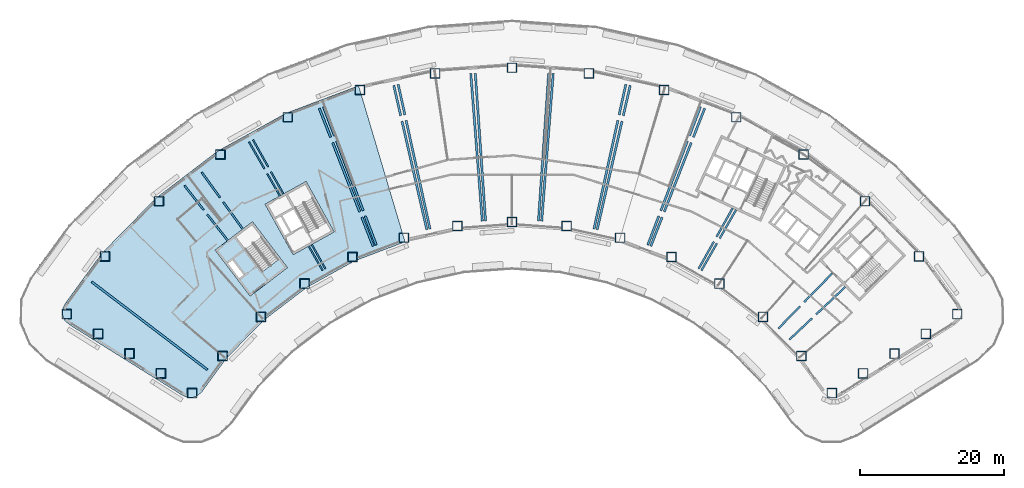
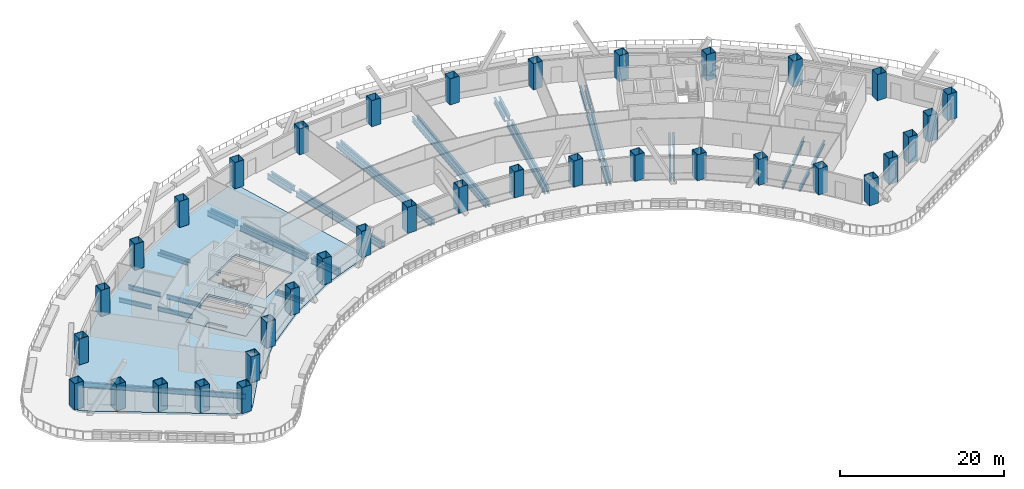
# One storey, part 1 of 12: 43 beams, 36 columns, 2 slabs.
"""IFC4 building model written with IfcOpenShell, lengths in metres."""

from ifc_helpers import new_model, si_unit, direction, frame, origin, origin_2d, place, context, subcontext, project, spatial, polyline, hollow_rectangle, i_section, outline, extrude, material, layer, layer_set, material_profile, profile_set, type_object, element, save


model = new_model("IFC4")

# Units and contexts
model_context = context("Model", 3, precision=1e-05, world=origin(), true_north=direction((0.0, 1.0)))
body_context = subcontext(model_context, "Body", "Model", "MODEL_VIEW")
ifc_project = project(units=[si_unit("LENGTHUNIT", "METRE"), si_unit("AREAUNIT", "SQUARE_METRE"), si_unit("VOLUMEUNIT", "CUBIC_METRE"), si_unit("PLANEANGLEUNIT", "RADIAN"), si_unit("MASSUNIT", "GRAM", prefix="KILO")], contexts=[model_context])

# Site, building, storey
site_placement = place(None, origin())
site = spatial("IfcSite", under=ifc_project, at=site_placement, CompositionType="ELEMENT")
building_placement = place(site_placement, origin())
building = spatial("IfcBuilding", under=site, at=building_placement, Name="Tuul Gate Civic Tower", CompositionType="ELEMENT")
storey_placement = place(building_placement, frame((0.0, 0.0, 31.5)))
storey = spatial("IfcBuildingStorey", under=building, at=storey_placement, Name="Level 06", CompositionType="ELEMENT", Elevation=31.5)

# Columns
ifc_material_1 = material(Name="Steel S355", Category="steel")
ifc_material_profile_1 = material_profile(ifc_material_1, hollow_rectangle(XDim=1.300048828125, YDim=1.300048828125, WallThickness=0.0400390625, at=origin_2d()), Name="BOX1300x1300x40")
ifc_profile_set_1 = profile_set([ifc_material_profile_1], Name="Steel S355")
column_type = type_object("IfcColumnType", Name="STR-COLUMN-BOX1300x1300x40", PredefinedType="COLUMN", material=ifc_profile_set_1)
for number, where, z_axis, x_axis, name in (
    (1, (61.6708984375, -20.22998046875, 0.0), (0.0, 0.0, 1.0), (1.0, 0.0, 0.0), "Column"),
    (2, (56.3720703125, -12.217041015625, 0.0), (0.0, 0.0, 1.0), (1.0, 0.0, 0.0), "Column"),
    (3, (48.89794921875, -4.592041015625, 0.0), (0.0, 0.0, 1.0), (1.0, 0.0, 0.0), "Column"),
    (4, (40.402099609375, 1.8759765625, 0.0), (0.0, 0.0, 1.0), (1.0, 0.0, 0.0), "Column"),
    (5, (31.06396484375, 7.052001953125, 0.0), (0.0, 0.0, 1.0), (1.0, 0.0, 0.0), "Column"),
    (6, (21.076904296875, 10.8291015625, 0.0), (0.0, 0.0, 1.0), (1.0, 0.0, 0.0), "Column"),
    (7, (10.64892578125, 13.126953125, 0.0), (0.0, 0.0, 1.0), (1.0, 0.0, 0.0), "Column"),
    (8, (0.0, 13.89794921875, 0.0), (0.0, 0.0, 1.0), (1.0, 0.0, 0.0), "Column"),
    (9, (-10.64892578125, 13.126953125, 0.0), (0.0, 0.0, 1.0), (1.0, 0.0, 0.0), "Column"),
    (10, (-21.076904296875, 10.8291015625, 0.0), (0.0, 0.0, 1.0), (1.0, 0.0, 0.0), "Column"),
    (11, (-31.06396484375, 7.052001953125, 0.0), (0.0, 0.0, 1.0), (1.0, 0.0, 0.0), "Column"),
    (12, (-40.402099609375, 1.8759765625, 0.0), (0.0, 0.0, 1.0), (1.0, 0.0, 0.0), "Column"),
    (13, (-48.89794921875, -4.592041015625, 0.0), (0.0, 0.0, 1.0), (1.0, 0.0, 0.0), "Column"),
    (14, (-56.3720703125, -12.217041015625, 0.0), (0.0, 0.0, 1.0), (1.0, 0.0, 0.0), "Column"),
    (15, (-61.6708984375, -20.22998046875, 0.0), (0.0, 0.0, 1.0), (1.0, 0.0, 0.0), "Column"),
    (16, (-57.327880859375, -22.964111328125, 0.0), (0.0, 0.0, 1.0), (1.0, 0.0, 0.0), "Column"),
    (17, (-52.986083984375, -25.698974609375, 0.0), (0.0, 0.0, 1.0), (1.0, 0.0, 0.0), "Column"),
    (18, (-48.64306640625, -28.43408203125, 0.0), (0.0, 0.0, 1.0), (1.0, 0.0, 0.0), "Column"),
    (19, (-44.301025390625, -31.16796875, 0.0), (0.0, 0.0, 1.0), (1.0, 0.0, 0.0), "Column"),
    (20, (-40.0810546875, -26.02587890625, 0.0), (0.0, 0.0, 1.0), (1.0, 0.0, 0.0), "Column"),
    (21, (-34.76708984375, -20.60498046875, 0.0), (0.0, 0.0, 1.0), (1.0, 0.0, 0.0), "Column"),
    (22, (-28.72705078125, -16.006103515625, 0.0), (0.0, 0.0, 1.0), (1.0, 0.0, 0.0), "Column"),
    (23, (-22.0869140625, -12.324951171875, 0.0), (0.0, 0.0, 1.0), (1.0, 0.0, 0.0), "Column"),
    (24, (-14.986083984375, -9.639892578125, 0.0), (0.0, 0.0, 1.0), (1.0, 0.0, 0.0), "Column"),
    (25, (-7.572021484375, -8.006103515625, 0.0), (0.0, 0.0, 1.0), (1.0, 0.0, 0.0), "Column"),
    (26, (0.0, -7.45703125, 0.0), (0.0, 0.0, 1.0), (1.0, 0.0, 0.0), "Column"),
    (27, (7.572021484375, -8.006103515625, 0.0), (0.0, 0.0, 1.0), (1.0, 0.0, 0.0), "Column"),
    (28, (14.986083984375, -9.639892578125, 0.0), (0.0, 0.0, 1.0), (1.0, 0.0, 0.0), "Column"),
    (29, (22.0869140625, -12.324951171875, 0.0), (0.0, 0.0, 1.0), (1.0, 0.0, 0.0), "Column"),
    (30, (28.72705078125, -16.006103515625, 0.0), (0.0, 0.0, 1.0), (1.0, 0.0, 0.0), "Column"),
    (31, (34.76708984375, -20.60498046875, 0.0), (0.0, 0.0, 1.0), (1.0, 0.0, 0.0), "Column"),
    (32, (40.0810546875, -26.02587890625, 0.0), (0.0, 0.0, 1.0), (1.0, 0.0, 0.0), "Column"),
    (33, (44.301025390625, -31.16796875, 0.0), (0.0, 0.0, 1.0), (1.0, 0.0, 0.0), "Column"),
    (34, (48.64306640625, -28.43408203125, 0.0), (0.0, 0.0, 1.0), (1.0, 0.0, 0.0), "Column"),
    (35, (52.986083984375, -25.698974609375, 0.0), (0.0, 0.0, 1.0), (1.0, 0.0, 0.0), "Column"),
    (36, (57.327880859375, -22.964111328125, 0.0), (0.0, 0.0, 1.0), (1.0, 0.0, 0.0), "Column"),
):
    element("IfcColumn", number, at=place(storey_placement, frame(where, z_axis=z_axis, x_axis=x_axis)), inside=storey, type_object=column_type, Name=name, PredefinedType="COLUMN", context=body_context, shape_type="SweptSolid", body=[
        extrude(hollow_rectangle(XDim=1.300048828125, YDim=1.300048828125, WallThickness=0.0400390625, at=origin_2d()), origin(), (0.0, 0.0, 1.0), 3.89990234375),
    ])

# Beams
ifc_material_2 = material(Name="Steel S355", Category="steel")
ifc_material_profile_2 = material_profile(ifc_material_2, i_section(OverallWidth=0.199951171875, OverallDepth=0.5, WebThickness=0.010009765625, FlangeThickness=0.01611328125, at=origin_2d()), Name="PG500x200x10x16")
ifc_profile_set_2 = profile_set([ifc_material_profile_2], Name="Steel S355")
beam_type_1 = type_object("IfcBeamType", Name="STR-FLOOR BEAM-PG500x200x10x16", PredefinedType="BEAM", material=ifc_profile_set_2)
beam_1_placement = place(storey_placement, frame((-25.845947265625, -13.951416015625, -0.550048828125), z_axis=(-0.489421422125, 0.872047402132, 0.0), x_axis=(-0.872047402132, -0.489421422125, 0.0)))
element("IfcBeam", 37, at=beam_1_placement, inside=storey, type_object=beam_type_1, Name="Floor beam", PredefinedType="BEAM", context=body_context, shape_type="SweptSolid", body=[
    extrude(i_section(OverallWidth=0.199951171875, OverallDepth=0.5, WebThickness=0.010009765625, FlangeThickness=0.01611328125, at=origin_2d()), origin(), (0.0, 0.0, 1.0), 3.87939453125),
])
beam_2_placement = place(storey_placement, frame((-31.66015625, -3.59228515625, -0.550048828125), z_axis=(-0.489470932754, 0.872019613305, 0.0), x_axis=(-0.872019613305, -0.489470932754, 0.0)))
element("IfcBeam", 38, at=beam_2_placement, inside=storey, type_object=beam_type_1, Name="Floor beam", PredefinedType="BEAM", context=body_context, shape_type="SweptSolid", body=[
    extrude(i_section(OverallWidth=0.199951171875, OverallDepth=0.5, WebThickness=0.010009765625, FlangeThickness=0.01611328125, at=origin_2d()), origin(), (0.0, 0.0, 1.0), 3.52099609375),
])
beam_3_placement = place(storey_placement, frame((-33.775146484375, 0.17578125, -0.550048828125), z_axis=(-0.489446892794, 0.872033106673, 0.0), x_axis=(-0.872033106673, -0.489446892794, 0.0)))
element("IfcBeam", 39, at=beam_3_placement, inside=storey, type_object=beam_type_1, Name="Floor beam", PredefinedType="BEAM", context=body_context, shape_type="SweptSolid", body=[
    extrude(i_section(OverallWidth=0.199951171875, OverallDepth=0.5, WebThickness=0.010009765625, FlangeThickness=0.01611328125, at=origin_2d()), origin(), (0.0, 0.0, 1.0), 4.2998046875),
])
beam_4_placement = place(storey_placement, frame((-26.23828125, -14.1689453125, -0.550048828125), z_axis=(-0.496870650114, 0.867824611921, 0.0), x_axis=(-0.867824611921, -0.496870650114, 0.0)))
element("IfcBeam", 40, at=beam_4_placement, inside=storey, type_object=beam_type_1, Name="Floor beam", PredefinedType="BEAM", context=body_context, shape_type="SweptSolid", body=[
    extrude(i_section(OverallWidth=0.199951171875, OverallDepth=0.5, WebThickness=0.010009765625, FlangeThickness=0.01611328125, at=origin_2d()), origin(), (0.0, 0.0, 1.0), 3.879638671875),
])
beam_5_placement = place(storey_placement, frame((-32.14111328125, -3.858642578125, -0.550048828125), z_axis=(-0.496818314595, 0.867854574386, 0.0), x_axis=(-0.867854574386, -0.496818314595, 0.0)))
element("IfcBeam", 41, at=beam_5_placement, inside=storey, type_object=beam_type_1, Name="Floor beam", PredefinedType="BEAM", context=body_context, shape_type="SweptSolid", body=[
    extrude(i_section(OverallWidth=0.199951171875, OverallDepth=0.5, WebThickness=0.010009765625, FlangeThickness=0.01611328125, at=origin_2d()), origin(), (0.0, 0.0, 1.0), 3.52099609375),
])
beam_6_placement = place(storey_placement, frame((-34.287841796875, -0.108642578125, -0.550048828125), z_axis=(-0.496872435894, 0.867823589475, 0.0), x_axis=(-0.867823589475, -0.496872435894, 0.0)))
element("IfcBeam", 42, at=beam_6_placement, inside=storey, type_object=beam_type_1, Name="Floor beam", PredefinedType="BEAM", context=body_context, shape_type="SweptSolid", body=[
    extrude(i_section(OverallWidth=0.199951171875, OverallDepth=0.5, WebThickness=0.010009765625, FlangeThickness=0.01611328125, at=origin_2d()), origin(), (0.0, 0.0, 1.0), 4.30029296875),
])
ifc_material_3 = material(Name="Steel S355", Category="steel")
ifc_material_profile_3 = material_profile(ifc_material_3, i_section(OverallWidth=0.25, OverallDepth=0.64990234375, WebThickness=0.011962890625, FlangeThickness=0.02001953125, at=origin_2d()), Name="PG650x250x12x20")
ifc_profile_set_3 = profile_set([ifc_material_profile_3], Name="Steel S355")
beam_type_2 = type_object("IfcBeamType", Name="STR-FLOOR BEAM-PG650x250x12x20", PredefinedType="BEAM", material=ifc_profile_set_3)
beam_7_placement = place(storey_placement, frame((38.421875, -23.76220703125, -0.625), z_axis=(0.727494685339, 0.686113316299, 0.0), x_axis=(-0.686113316299, 0.727494685339, 0.0)))
element("IfcBeam", 43, at=beam_7_placement, inside=storey, type_object=beam_type_2, Name="Floor beam", PredefinedType="BEAM", context=body_context, shape_type="SweptSolid", body=[
    extrude(i_section(OverallWidth=0.25, OverallDepth=0.64990234375, WebThickness=0.011962890625, FlangeThickness=0.02001953125, at=origin_2d()), origin(), (0.0, 0.0, 1.0), 4.301025390625),
])
beam_8_placement = place(storey_placement, frame((42.1328125, -20.262451171875, -0.625), z_axis=(0.727479728782, 0.686129174581, 0.0), x_axis=(-0.686129174581, 0.727479728782, 0.0)))
element("IfcBeam", 44, at=beam_8_placement, inside=storey, type_object=beam_type_2, Name="Floor beam", PredefinedType="BEAM", context=body_context, shape_type="SweptSolid", body=[
    extrude(i_section(OverallWidth=0.25, OverallDepth=0.64990234375, WebThickness=0.011962890625, FlangeThickness=0.02001953125, at=origin_2d()), origin(), (0.0, 0.0, 1.0), 5.555908203125),
])
beam_9_placement = place(storey_placement, frame((36.903076171875, -22.212646484375, -0.625), z_axis=(0.698713175789, 0.715401913597, 0.0), x_axis=(-0.715401913597, 0.698713175789, 0.0)))
element("IfcBeam", 45, at=beam_9_placement, inside=storey, type_object=beam_type_2, Name="Floor beam", PredefinedType="BEAM", context=body_context, shape_type="SweptSolid", body=[
    extrude(i_section(OverallWidth=0.25, OverallDepth=0.64990234375, WebThickness=0.011962890625, FlangeThickness=0.02001953125, at=origin_2d()), origin(), (0.0, 0.0, 1.0), 4.301025390625),
])
beam_10_placement = place(storey_placement, frame((40.46728515625, -18.563232421875, -0.625), z_axis=(0.698664213175, 0.715449730749, 0.0), x_axis=(-0.715449730749, 0.698664213175, 0.0)))
element("IfcBeam", 46, at=beam_10_placement, inside=storey, type_object=beam_type_2, Name="Floor beam", PredefinedType="BEAM", context=body_context, shape_type="SweptSolid", body=[
    extrude(i_section(OverallWidth=0.25, OverallDepth=0.64990234375, WebThickness=0.011962890625, FlangeThickness=0.02001953125, at=origin_2d()), origin(), (0.0, 0.0, 1.0), 5.55615234375),
])
beam_11_placement = place(storey_placement, frame((26.23828125, -14.1689453125, -0.625), z_axis=(0.496872435894, 0.867823589475, 0.0), x_axis=(-0.867823589475, 0.496872435894, 0.0)))
element("IfcBeam", 47, at=beam_11_placement, inside=storey, type_object=beam_type_2, Name="Floor beam", PredefinedType="BEAM", context=body_context, shape_type="SweptSolid", body=[
    extrude(i_section(OverallWidth=0.25, OverallDepth=0.64990234375, WebThickness=0.011962890625, FlangeThickness=0.02001953125, at=origin_2d()), origin(), (0.0, 0.0, 1.0), 4.30029296875),
])
beam_12_placement = place(storey_placement, frame((28.7724609375, -9.74267578125, -0.625), z_axis=(0.496836801277, 0.867843991105, 0.0), x_axis=(-0.867843991105, 0.496836801277, 0.0)))
element("IfcBeam", 48, at=beam_12_placement, inside=storey, type_object=beam_type_2, Name="Floor beam", PredefinedType="BEAM", context=body_context, shape_type="SweptSolid", body=[
    extrude(i_section(OverallWidth=0.25, OverallDepth=0.64990234375, WebThickness=0.011962890625, FlangeThickness=0.02001953125, at=origin_2d()), origin(), (0.0, 0.0, 1.0), 4.5576171875),
])
beam_13_placement = place(storey_placement, frame((25.845947265625, -13.951416015625, -0.625), z_axis=(0.489422659149, 0.872046707873, 0.0), x_axis=(-0.872046707873, 0.489422659149, 0.0)))
element("IfcBeam", 49, at=beam_13_placement, inside=storey, type_object=beam_type_2, Name="Floor beam", PredefinedType="BEAM", context=body_context, shape_type="SweptSolid", body=[
    extrude(i_section(OverallWidth=0.25, OverallDepth=0.64990234375, WebThickness=0.011962890625, FlangeThickness=0.02001953125, at=origin_2d()), origin(), (0.0, 0.0, 1.0), 4.300048828125),
])
beam_14_placement = place(storey_placement, frame((28.342041015625, -9.50390625, -0.625), z_axis=(0.489481436319, 0.872013717495, 0.0), x_axis=(-0.872013717495, 0.489481436319, 0.0)))
element("IfcBeam", 50, at=beam_14_placement, inside=storey, type_object=beam_type_2, Name="Floor beam", PredefinedType="BEAM", context=body_context, shape_type="SweptSolid", body=[
    extrude(i_section(OverallWidth=0.25, OverallDepth=0.64990234375, WebThickness=0.011962890625, FlangeThickness=0.02001953125, at=origin_2d()), origin(), (0.0, 0.0, 1.0), 4.519775390625),
])
beam_15_placement = place(storey_placement, frame((-37.289794921875, -8.447265625, -0.625), z_axis=(-0.586077532917, 0.810254975554, 0.0), x_axis=(-0.810254975554, -0.586077532917, 0.0)))
element("IfcBeam", 51, at=beam_15_placement, inside=storey, type_object=beam_type_2, Name="Floor beam", PredefinedType="BEAM", context=body_context, shape_type="SweptSolid", body=[
    extrude(i_section(OverallWidth=0.25, OverallDepth=0.64990234375, WebThickness=0.011962890625, FlangeThickness=0.02001953125, at=origin_2d()), origin(), (0.0, 0.0, 1.0), 4.60009765625),
])
beam_16_placement = place(storey_placement, frame((-40.454833984375, -4.071533203125, -0.625), z_axis=(-0.586070635586, 0.81025996452, 0.0), x_axis=(-0.81025996452, -0.586070635586, 0.0)))
element("IfcBeam", 52, at=beam_16_placement, inside=storey, type_object=beam_type_2, Name="Floor beam", PredefinedType="BEAM", context=body_context, shape_type="SweptSolid", body=[
    extrude(i_section(OverallWidth=0.25, OverallDepth=0.64990234375, WebThickness=0.011962890625, FlangeThickness=0.02001953125, at=origin_2d()), origin(), (0.0, 0.0, 1.0), 4.301513671875),
])
beam_17_placement = place(storey_placement, frame((-39.369384765625, -10.030517578125, -0.625), z_axis=(-0.618871234154, 0.785492454156, 0.0), x_axis=(-0.785492454156, -0.618871234154, 0.0)))
element("IfcBeam", 53, at=beam_17_placement, inside=storey, type_object=beam_type_2, Name="Floor beam", PredefinedType="BEAM", context=body_context, shape_type="SweptSolid", body=[
    extrude(i_section(OverallWidth=0.25, OverallDepth=0.64990234375, WebThickness=0.011962890625, FlangeThickness=0.02001953125, at=origin_2d()), origin(), (0.0, 0.0, 1.0), 4.599365234375),
])
beam_18_placement = place(storey_placement, frame((-42.7109375, -5.789306640625, -0.625), z_axis=(-0.61884887722, 0.785510068149, 0.0), x_axis=(-0.785510068149, -0.61884887722, 0.0)))
element("IfcBeam", 54, at=beam_18_placement, inside=storey, type_object=beam_type_2, Name="Floor beam", PredefinedType="BEAM", context=body_context, shape_type="SweptSolid", body=[
    extrude(i_section(OverallWidth=0.25, OverallDepth=0.64990234375, WebThickness=0.011962890625, FlangeThickness=0.02001953125, at=origin_2d()), origin(), (0.0, 0.0, 1.0), 4.301025390625),
])
ifc_material_4 = material(Name="Steel S355", Category="steel")
ifc_material_profile_4 = material_profile(ifc_material_4, i_section(OverallWidth=0.300048828125, OverallDepth=0.800048828125, WebThickness=0.013916015625, FlangeThickness=0.02490234375, at=origin_2d()), Name="PG800x300x14x25")
ifc_profile_set_4 = profile_set([ifc_material_profile_4], Name="Steel S355")
beam_type_3 = type_object("IfcBeamType", Name="STR-FLOOR BEAM-PG800x300x14x25", PredefinedType="BEAM", material=ifc_profile_set_4)
beam_19_placement = place(storey_placement, frame((19.224853515625, -10.815185546875, -0.699951171875), z_axis=(0.364018298139, 0.931391796517, 0.0), x_axis=(-0.931391796517, 0.364018298139, 0.0)))
element("IfcBeam", 55, at=beam_19_placement, inside=storey, type_object=beam_type_3, Name="Floor beam", PredefinedType="BEAM", context=body_context, shape_type="SweptSolid", body=[
    extrude(i_section(OverallWidth=0.300048828125, OverallDepth=0.800048828125, WebThickness=0.013916015625, FlangeThickness=0.02490234375, at=origin_2d()), origin(), (0.0, 0.0, 1.0), 4.30029296875),
])
beam_20_placement = place(storey_placement, frame((21.08154296875, -6.064697265625, -0.699951171875), z_axis=(0.36405615615, 0.931376999485, 0.0), x_axis=(-0.931376999485, 0.36405615615, 0.0)))
element("IfcBeam", 56, at=beam_20_placement, inside=storey, type_object=beam_type_3, Name="Floor beam", PredefinedType="BEAM", context=body_context, shape_type="SweptSolid", body=[
    extrude(i_section(OverallWidth=0.300048828125, OverallDepth=0.800048828125, WebThickness=0.013916015625, FlangeThickness=0.02490234375, at=origin_2d()), origin(), (0.0, 0.0, 1.0), 10.300537109375),
])
for number, where, z_axis, x_axis, name in (
    (57, (25.122802734375, 4.274169921875, -0.699951171875), (0.364037547066, 0.931384273179, 0.0), (-0.931384273179, 0.364037547066, 0.0), "Floor beam"),
    (58, (18.80517578125, -10.656494140625, -0.699951171875), (0.356089762592, 0.934451754226, 0.0), (-0.934451754226, 0.356089762592, 0.0), "Floor beam"),
):
    element("IfcBeam", number, at=place(storey_placement, frame(where, z_axis=z_axis, x_axis=x_axis)), inside=storey, type_object=beam_type_3, Name=name, PredefinedType="BEAM", context=body_context, shape_type="SweptSolid", body=[
        extrude(i_section(OverallWidth=0.300048828125, OverallDepth=0.800048828125, WebThickness=0.013916015625, FlangeThickness=0.02490234375, at=origin_2d()), origin(), (0.0, 0.0, 1.0), 4.30029296875),
    ])
beam_21_placement = place(storey_placement, frame((20.621337890625, -5.890625, -0.699951171875), z_axis=(0.356113604969, 0.934442668309, 0.0), x_axis=(-0.934442668309, 0.356113604969, 0.0)))
element("IfcBeam", 59, at=beam_21_placement, inside=storey, type_object=beam_type_3, Name="Floor beam", PredefinedType="BEAM", context=body_context, shape_type="SweptSolid", body=[
    extrude(i_section(OverallWidth=0.300048828125, OverallDepth=0.800048828125, WebThickness=0.013916015625, FlangeThickness=0.02490234375, at=origin_2d()), origin(), (0.0, 0.0, 1.0), 10.300048828125),
])
beam_22_placement = place(storey_placement, frame((24.57421875, 4.4814453125, -0.699951171875), z_axis=(0.356108655168, 0.93444455465, 0.0), x_axis=(-0.93444455465, 0.356108655168, 0.0)))
element("IfcBeam", 60, at=beam_22_placement, inside=storey, type_object=beam_type_3, Name="Floor beam", PredefinedType="BEAM", context=body_context, shape_type="SweptSolid", body=[
    extrude(i_section(OverallWidth=0.300048828125, OverallDepth=0.800048828125, WebThickness=0.013916015625, FlangeThickness=0.02490234375, at=origin_2d()), origin(), (0.0, 0.0, 1.0), 4.300048828125),
])
beam_23_placement = place(storey_placement, frame((11.795166015625, -8.527099609375, -0.699951171875), z_axis=(0.223364546254, 0.974734979098, 0.0), x_axis=(-0.974734979098, 0.223364546254, 0.0)))
element("IfcBeam", 61, at=beam_23_placement, inside=storey, type_object=beam_type_3, Name="Floor beam", PredefinedType="BEAM", context=body_context, shape_type="SweptSolid", body=[
    extrude(i_section(OverallWidth=0.300048828125, OverallDepth=0.800048828125, WebThickness=0.013916015625, FlangeThickness=0.02490234375, at=origin_2d()), origin(), (0.0, 0.0, 1.0), 15.400634765625),
])
beam_24_placement = place(storey_placement, frame((15.413818359375, 7.26416015625, -0.699951171875), z_axis=(0.223399754891, 0.974726910224, 0.0), x_axis=(-0.974726910224, 0.223399754891, 0.0)))
element("IfcBeam", 62, at=beam_24_placement, inside=storey, type_object=beam_type_3, Name="Floor beam", PredefinedType="BEAM", context=body_context, shape_type="SweptSolid", body=[
    extrude(i_section(OverallWidth=0.300048828125, OverallDepth=0.800048828125, WebThickness=0.013916015625, FlangeThickness=0.02490234375, at=origin_2d()), origin(), (0.0, 0.0, 1.0), 4.30029296875),
])
beam_25_placement = place(storey_placement, frame((11.35693359375, -8.4306640625, -0.699951171875), z_axis=(0.215078615456, 0.976596738257, 0.0), x_axis=(-0.976596738257, 0.215078615456, 0.0)))
element("IfcBeam", 63, at=beam_25_placement, inside=storey, type_object=beam_type_3, Name="Floor beam", PredefinedType="BEAM", context=body_context, shape_type="SweptSolid", body=[
    extrude(i_section(OverallWidth=0.300048828125, OverallDepth=0.800048828125, WebThickness=0.013916015625, FlangeThickness=0.02490234375, at=origin_2d()), origin(), (0.0, 0.0, 1.0), 15.400146484375),
])
beam_26_placement = place(storey_placement, frame((14.84130859375, 7.390380859375, -0.699951171875), z_axis=(0.215066482531, 0.976599410246, 0.0), x_axis=(-0.976599410246, 0.215066482531, 0.0)))
element("IfcBeam", 64, at=beam_26_placement, inside=storey, type_object=beam_type_3, Name="Floor beam", PredefinedType="BEAM", context=body_context, shape_type="SweptSolid", body=[
    extrude(i_section(OverallWidth=0.300048828125, OverallDepth=0.800048828125, WebThickness=0.013916015625, FlangeThickness=0.02490234375, at=origin_2d()), origin(), (0.0, 0.0, 1.0), 4.300048828125),
])
beam_27_placement = place(storey_placement, frame((4.110595703125, -7.35400390625, -0.699951171875), z_axis=(0.077839394093, 0.996965911517, 0.0), x_axis=(-0.996965911517, 0.077839394093, 0.0)))
element("IfcBeam", 65, at=beam_27_placement, inside=storey, type_object=beam_type_3, Name="Floor beam", PredefinedType="BEAM", context=body_context, shape_type="SweptSolid", body=[
    extrude(i_section(OverallWidth=0.300048828125, OverallDepth=0.800048828125, WebThickness=0.013916015625, FlangeThickness=0.02490234375, at=origin_2d()), origin(), (0.0, 0.0, 1.0), 20.5),
])
for number, where, z_axis, x_axis, name in (
    (66, (3.6630859375, -7.321533203125, -0.699951171875), (0.069360399585, 0.997591667452, 0.0), (-0.997591667452, 0.069360399585, 0.0), "Floor beam"),
    (67, (-3.6630859375, -7.321533203125, -0.699951171875), (-0.069360399585, 0.997591667452, 0.0), (-0.997591667452, -0.069360399585, 0.0), "Floor beam"),
):
    element("IfcBeam", number, at=place(storey_placement, frame(where, z_axis=z_axis, x_axis=x_axis)), inside=storey, type_object=beam_type_3, Name=name, PredefinedType="BEAM", context=body_context, shape_type="SweptSolid", body=[
        extrude(i_section(OverallWidth=0.300048828125, OverallDepth=0.800048828125, WebThickness=0.013916015625, FlangeThickness=0.02490234375, at=origin_2d()), origin(), (0.0, 0.0, 1.0), 20.499755859375),
    ])
beam_28_placement = place(storey_placement, frame((-4.110595703125, -7.35400390625, -0.699951171875), z_axis=(-0.077839394093, 0.996965911517, 0.0), x_axis=(-0.996965911517, -0.077839394093, 0.0)))
element("IfcBeam", 68, at=beam_28_placement, inside=storey, type_object=beam_type_3, Name="Floor beam", PredefinedType="BEAM", context=body_context, shape_type="SweptSolid", body=[
    extrude(i_section(OverallWidth=0.300048828125, OverallDepth=0.800048828125, WebThickness=0.013916015625, FlangeThickness=0.02490234375, at=origin_2d()), origin(), (0.0, 0.0, 1.0), 20.5),
])
beam_29_placement = place(storey_placement, frame((-11.35693359375, -8.4306640625, -0.699951171875), z_axis=(-0.215078615456, 0.976596738257, 0.0), x_axis=(-0.976596738257, -0.215078615456, 0.0)))
element("IfcBeam", 69, at=beam_29_placement, inside=storey, type_object=beam_type_3, Name="Floor beam", PredefinedType="BEAM", context=body_context, shape_type="SweptSolid", body=[
    extrude(i_section(OverallWidth=0.300048828125, OverallDepth=0.800048828125, WebThickness=0.013916015625, FlangeThickness=0.02490234375, at=origin_2d()), origin(), (0.0, 0.0, 1.0), 15.400146484375),
])
beam_30_placement = place(storey_placement, frame((-14.84130859375, 7.390380859375, -0.699951171875), z_axis=(-0.215066482531, 0.976599410246, 0.0), x_axis=(-0.976599410246, -0.215066482531, 0.0)))
element("IfcBeam", 70, at=beam_30_placement, inside=storey, type_object=beam_type_3, Name="Floor beam", PredefinedType="BEAM", context=body_context, shape_type="SweptSolid", body=[
    extrude(i_section(OverallWidth=0.300048828125, OverallDepth=0.800048828125, WebThickness=0.013916015625, FlangeThickness=0.02490234375, at=origin_2d()), origin(), (0.0, 0.0, 1.0), 4.300048828125),
])
beam_31_placement = place(storey_placement, frame((-11.795166015625, -8.527099609375, -0.699951171875), z_axis=(-0.223364546254, 0.974734979098, 0.0), x_axis=(-0.974734979098, -0.223364546254, 0.0)))
element("IfcBeam", 71, at=beam_31_placement, inside=storey, type_object=beam_type_3, Name="Floor beam", PredefinedType="BEAM", context=body_context, shape_type="SweptSolid", body=[
    extrude(i_section(OverallWidth=0.300048828125, OverallDepth=0.800048828125, WebThickness=0.013916015625, FlangeThickness=0.02490234375, at=origin_2d()), origin(), (0.0, 0.0, 1.0), 15.400634765625),
])
for number, where, z_axis, x_axis, name in (
    (72, (-15.413818359375, 7.26416015625, -0.699951171875), (-0.223399754891, 0.974726910224, 0.0), (-0.974726910224, -0.223399754891, 0.0), "Floor beam"),
    (73, (-18.80517578125, -10.656494140625, -0.699951171875), (-0.356089762592, 0.934451754226, 0.0), (-0.934451754226, -0.356089762592, 0.0), "Floor beam"),
):
    element("IfcBeam", number, at=place(storey_placement, frame(where, z_axis=z_axis, x_axis=x_axis)), inside=storey, type_object=beam_type_3, Name=name, PredefinedType="BEAM", context=body_context, shape_type="SweptSolid", body=[
        extrude(i_section(OverallWidth=0.300048828125, OverallDepth=0.800048828125, WebThickness=0.013916015625, FlangeThickness=0.02490234375, at=origin_2d()), origin(), (0.0, 0.0, 1.0), 4.30029296875),
    ])
beam_32_placement = place(storey_placement, frame((-20.621337890625, -5.890625, -0.699951171875), z_axis=(-0.356113604969, 0.934442668309, 0.0), x_axis=(-0.934442668309, -0.356113604969, 0.0)))
element("IfcBeam", 74, at=beam_32_placement, inside=storey, type_object=beam_type_3, Name="Floor beam", PredefinedType="BEAM", context=body_context, shape_type="SweptSolid", body=[
    extrude(i_section(OverallWidth=0.300048828125, OverallDepth=0.800048828125, WebThickness=0.013916015625, FlangeThickness=0.02490234375, at=origin_2d()), origin(), (0.0, 0.0, 1.0), 10.300048828125),
])
beam_33_placement = place(storey_placement, frame((-24.57421875, 4.4814453125, -0.699951171875), z_axis=(-0.356108655168, 0.93444455465, 0.0), x_axis=(-0.93444455465, -0.356108655168, 0.0)))
element("IfcBeam", 75, at=beam_33_placement, inside=storey, type_object=beam_type_3, Name="Floor beam", PredefinedType="BEAM", context=body_context, shape_type="SweptSolid", body=[
    extrude(i_section(OverallWidth=0.300048828125, OverallDepth=0.800048828125, WebThickness=0.013916015625, FlangeThickness=0.02490234375, at=origin_2d()), origin(), (0.0, 0.0, 1.0), 4.300048828125),
])
beam_34_placement = place(storey_placement, frame((-19.224853515625, -10.815185546875, -0.699951171875), z_axis=(-0.364018298139, 0.931391796517, 0.0), x_axis=(-0.931391796517, -0.364018298139, 0.0)))
element("IfcBeam", 76, at=beam_34_placement, inside=storey, type_object=beam_type_3, Name="Floor beam", PredefinedType="BEAM", context=body_context, shape_type="SweptSolid", body=[
    extrude(i_section(OverallWidth=0.300048828125, OverallDepth=0.800048828125, WebThickness=0.013916015625, FlangeThickness=0.02490234375, at=origin_2d()), origin(), (0.0, 0.0, 1.0), 4.30029296875),
])
beam_35_placement = place(storey_placement, frame((-21.08154296875, -6.064697265625, -0.699951171875), z_axis=(-0.36405615615, 0.931376999485, 0.0), x_axis=(-0.931376999485, -0.36405615615, 0.0)))
element("IfcBeam", 77, at=beam_35_placement, inside=storey, type_object=beam_type_3, Name="Floor beam", PredefinedType="BEAM", context=body_context, shape_type="SweptSolid", body=[
    extrude(i_section(OverallWidth=0.300048828125, OverallDepth=0.800048828125, WebThickness=0.013916015625, FlangeThickness=0.02490234375, at=origin_2d()), origin(), (0.0, 0.0, 1.0), 10.300537109375),
])
beam_36_placement = place(storey_placement, frame((-25.122802734375, 4.274169921875, -0.699951171875), z_axis=(-0.364037547066, 0.931384273179, 0.0), x_axis=(-0.931384273179, -0.364037547066, 0.0)))
element("IfcBeam", 78, at=beam_36_placement, inside=storey, type_object=beam_type_3, Name="Floor beam", PredefinedType="BEAM", context=body_context, shape_type="SweptSolid", body=[
    extrude(i_section(OverallWidth=0.300048828125, OverallDepth=0.800048828125, WebThickness=0.013916015625, FlangeThickness=0.02490234375, at=origin_2d()), origin(), (0.0, 0.0, 1.0), 4.30029296875),
])
beam_37_placement = place(storey_placement, frame((-42.17431640625, -27.946044921875, -0.699951171875), z_axis=(-0.796151927183, 0.605096776427, 0.0), x_axis=(-0.605096776427, -0.796151927183, 0.0)))
element("IfcBeam", 79, at=beam_37_placement, inside=storey, type_object=beam_type_3, Name="Floor beam", PredefinedType="BEAM", context=body_context, shape_type="SweptSolid", body=[
    extrude(i_section(OverallWidth=0.300048828125, OverallDepth=0.800048828125, WebThickness=0.013916015625, FlangeThickness=0.02490234375, at=origin_2d()), origin(), (0.0, 0.0, 1.0), 20.161865234375),
])

# Slabs
ifc_material_5 = material(Name="Concrete C40/50", Category="concrete")
ifc_layer_1 = layer(ifc_material_5, 0.300048828125)
ifc_layer_set_1 = layer_set([ifc_layer_1], Name="Concrete C40/50")
slab_type_1 = type_object("IfcSlabType", Name="Core floor slab 300", PredefinedType="FLOOR", material=ifc_layer_set_1)
slab_1_placement = place(storey_placement, frame((0.0, 0.0, -0.300048828125)))
element("IfcSlab", 80, at=slab_1_placement, inside=storey, type_object=slab_type_1, Name="FLOOR SLAB", PredefinedType="FLOOR", context=body_context, shape_type="SweptSolid", body=[
    extrude(outline(polyline([(-31.10009765625, -13.7890625), (-35.946044921875, -7.423828125), (-41.11767578125, -11.361572265625), (-36.271484375, -17.726806640625), (-31.10009765625, -13.7890625)]), holes=[polyline([(-37.19287109375, -14.783203125), (-38.737548828125, -12.75439453125), (-39.45361328125, -13.299560546875), (-37.908935546875, -15.328369140625), (-37.19287109375, -14.783203125)]), polyline([(-32.33935546875, -12.65771484375), (-34.56591796875, -14.352783203125), (-38.229736328125, -9.54052734375), (-36.003173828125, -7.845458984375), (-32.33935546875, -12.65771484375)])]), origin(), (0.0, 0.0, 1.0), 0.300048828125),
])
ifc_material_6 = material(Name="Concrete C35/45", Category="concrete")
ifc_layer_2 = layer(ifc_material_6, 0.300048828125)
ifc_layer_set_2 = layer_set([ifc_layer_2], Name="Concrete C35/45")
slab_type_2 = type_object("IfcSlabType", Name="STR-FLOOR-SLAB-300", PredefinedType="FLOOR", material=ifc_layer_set_2)
slab_2_placement = place(storey_placement, frame((0.0, 0.0, -0.300048828125)))
element("IfcSlab", 81, at=slab_2_placement, inside=storey, type_object=slab_type_2, Name="Level 06/slab/W", PredefinedType="FLOOR", context=body_context, shape_type="SweptSolid", body=[
    extrude(outline(polyline([(-21.833984375, -12.87109375), (-14.81396484375, -10.216064453125), (-21.248046875, 11.406005859375), (-31.31689453125, 7.597900390625), (-40.73095703125, 2.3798828125), (-49.2958984375, -4.14111328125), (-56.8310546875, -11.827880859375), (-61.910888671875, -18.784912109375), (-62.248046875, -19.528076171875), (-62.260009765625, -20.343017578125), (-61.945068359375, -21.095947265625), (-61.35595703125, -21.659912109375), (-45.6259765625, -31.489990234375), (-44.931884765625, -31.760009765625), (-44.18701171875, -31.757080078125), (-43.4951171875, -31.48193359375), (-42.950927734375, -30.972900390625), (-39.6220703125, -26.4150390625), (-34.368896484375, -21.055908203125), (-28.39794921875, -16.509033203125), (-21.833984375, -12.87109375)]), holes=[polyline([(-31.10009765625, -13.7890625), (-36.27197265625, -17.72705078125), (-41.117919921875, -11.362060546875), (-35.946044921875, -7.424072265625), (-31.10009765625, -13.7890625)]), polyline([(-24.638916015625, -8.846923828125), (-30.323974609375, -11.998046875), (-34.201904296875, -5.0009765625), (-28.51708984375, -1.85009765625), (-24.638916015625, -8.846923828125)])]), origin(), (0.0, 0.0, 1.0), 0.300048828125),
])

save(model, "model.ifc")
